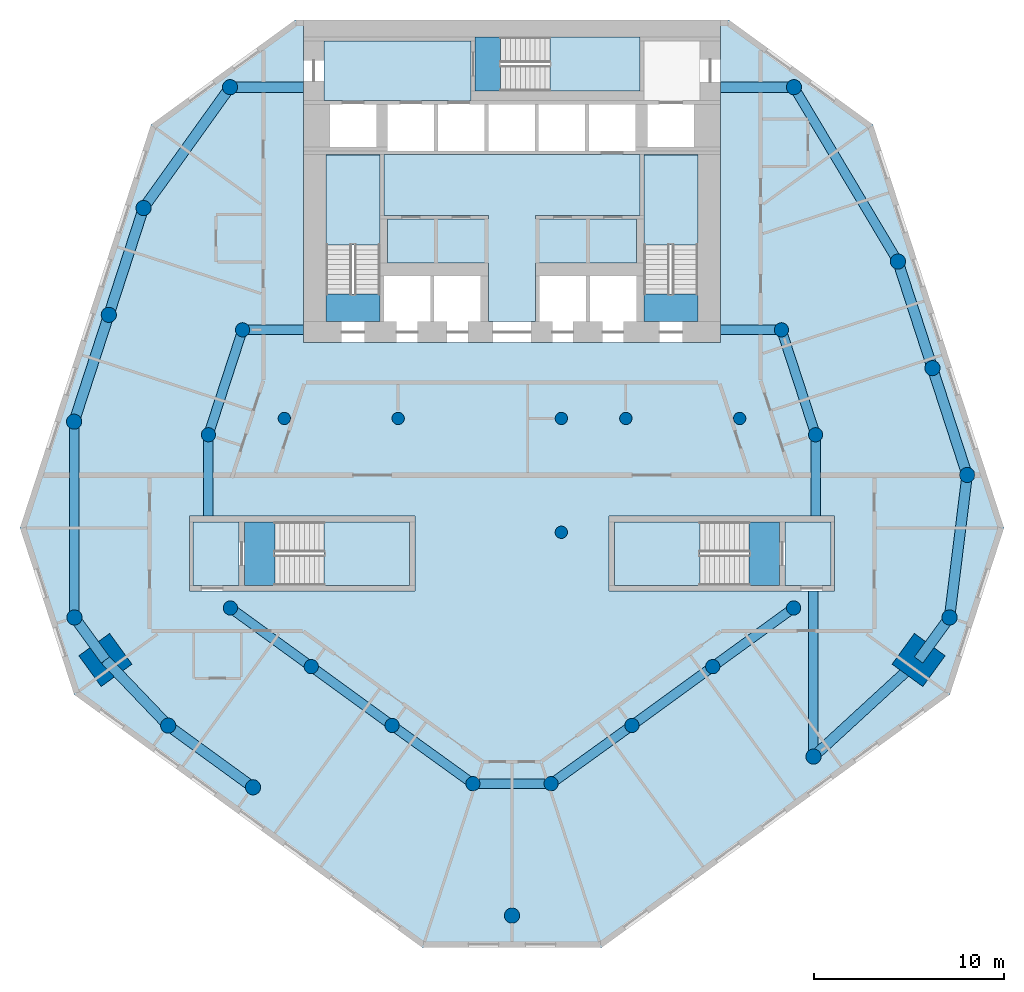
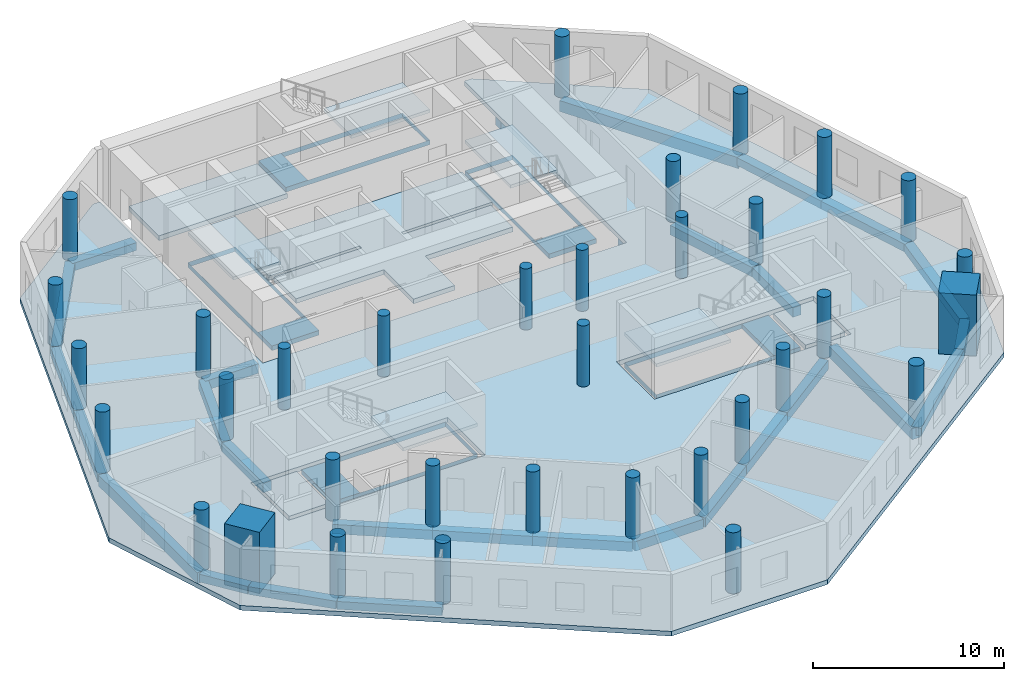
# One storey, part 1 of 9: 34 columns, 29 beams, 15 slabs, 5 elements without a shape of their own.
"""IFC4 building model written with IfcOpenShell, lengths in metres."""

from ifc_helpers import new_model, si_unit, direction, frame, origin, origin_2d, place, context, subcontext, project, spatial, polyline, rectangle, circle, outline, extrude, material, layer, layer_set, material_profile, profile_set, type_object, element, aggregate, save


model = new_model("IFC4")

# Units and contexts
model_context = context("Model", 3, precision=1e-05, world=origin(), true_north=direction((0.0, 1.0)))
body_context = subcontext(model_context, "Body", "Model", "MODEL_VIEW")
ifc_project = project(units=[si_unit("LENGTHUNIT", "METRE"), si_unit("AREAUNIT", "SQUARE_METRE"), si_unit("VOLUMEUNIT", "CUBIC_METRE"), si_unit("PLANEANGLEUNIT", "RADIAN"), si_unit("MASSUNIT", "GRAM", prefix="KILO")], contexts=[model_context])

# Site, building, storey
site_placement = place(None, origin())
site = spatial("IfcSite", under=ifc_project, at=site_placement, CompositionType="ELEMENT")
building_placement = place(site_placement, origin())
building = spatial("IfcBuilding", under=site, at=building_placement, Name="White Candle Pilgrim Tower", CompositionType="ELEMENT")
storey_placement = place(building_placement, frame((0.0, 0.0, 98.60009765625)))
storey = spatial("IfcBuildingStorey", under=building, at=storey_placement, Name="L21", CompositionType="ELEMENT", Elevation=98.60009765625)

# Columns
ifc_material_1 = material(Name="Concrete C80/95", Category="concrete")
ifc_material_profile_1 = material_profile(ifc_material_1, circle(Radius=0.324951171875, at=origin_2d()), Name="RC-COL D650")
ifc_profile_set_1 = profile_set([ifc_material_profile_1], Name="Concrete C80/95")
column_type_1 = type_object("IfcColumnType", Name="Interior column RC-COL D650 C80/95", PredefinedType="COLUMN", material=ifc_profile_set_1)
for number, where, z_axis, x_axis, name in (
    (1, (58.0, 67.0, 0.0), (0.0, 0.0, 1.0), (1.0, 0.0, 0.0), "L21 column I01"),
    (2, (64.0, 67.0, 0.0), (0.0, 0.0, 1.0), (1.0, 0.0, 0.0), "L21 column I02"),
    (3, (72.60009765625, 61.0, 0.0), (0.0, 0.0, 1.0), (1.0, 0.0, 0.0), "L21 column I03"),
    (4, (72.60009765625, 67.0, 0.0), (0.0, 0.0, 1.0), (1.0, 0.0, 0.0), "L21 column I04"),
    (5, (76.0, 67.0, 0.0), (0.0, 0.0, 1.0), (1.0, 0.0, 0.0), "L21 column I05"),
    (6, (82.0, 67.0, 0.0), (0.0, 0.0, 1.0), (1.0, 0.0, 0.0), "L21 column I06"),
):
    element("IfcColumn", number, at=place(storey_placement, frame(where, z_axis=z_axis, x_axis=x_axis)), inside=storey, type_object=column_type_1, Name=name, PredefinedType="COLUMN", context=body_context, shape_type="SweptSolid", body=[
        extrude(circle(Radius=0.324951171875, at=origin_2d()), origin(), (0.0, 0.0, 1.0), 3.89990234375),
    ])
ifc_material_profile_2 = material_profile(ifc_material_1, rectangle(XDim=2.0, YDim=2.0, at=origin_2d()), Name="RC 2000x2000")
ifc_profile_set_2 = profile_set([ifc_material_profile_2], Name="Concrete C80/95")
column_type_2 = type_object("IfcColumnType", Name="Mega column RC 2000x2000 C80/95", PredefinedType="COLUMN", material=ifc_profile_set_2)
for number, where, z_axis, x_axis, name in (
    (7, (48.570068359375, 54.27001953125, 0.0), (0.0, 0.0, 1.0), (-0.809016994375, -0.587785252292, 0.0), "L21 mega column T02"),
    (8, (91.429931640625, 54.27001953125, 0.0), (0.0, 0.0, 1.0), (0.809016994375, -0.587785252292, 0.0), "L21 mega column T07"),
):
    element("IfcColumn", number, at=place(storey_placement, frame(where, z_axis=z_axis, x_axis=x_axis)), inside=storey, type_object=column_type_2, Name=name, PredefinedType="COLUMN", context=body_context, shape_type="SweptSolid", body=[
        extrude(rectangle(XDim=2.0, YDim=2.0, at=origin_2d()), origin(), (0.0, 0.0, 1.0), 3.89990234375),
    ])
ifc_material_profile_3 = material_profile(ifc_material_1, circle(Radius=0.39990234375, at=origin_2d()), Name="RC-COL D800")
ifc_profile_set_3 = profile_set([ifc_material_profile_3], Name="Concrete C80/95")
column_type_3 = type_object("IfcColumnType", Name="Perimeter column RC-COL D800 C80/95", PredefinedType="COLUMN", material=ifc_profile_set_3)
for number, where, z_axis, x_axis, name in (
    (9, (46.93994140625, 56.510009765625, 0.0), (0.0, 0.0, 1.0), (1.0, 0.0, 0.0), "L21 column T01"),
    (10, (51.8798828125, 50.81005859375, 0.0), (0.0, 0.0, 1.0), (1.0, 0.0, 0.0), "L21 column T03"),
    (11, (56.35009765625, 47.56005859375, 0.0), (0.0, 0.0, 1.0), (1.0, 0.0, 0.0), "L21 column T04"),
    (12, (70.0, 40.800048828125, 0.0), (0.0, 0.0, 1.0), (1.0, 0.0, 0.0), "L21 column T05"),
    (13, (85.889892578125, 49.179931640625, 0.0), (0.0, 0.0, 1.0), (1.0, 0.0, 0.0), "L21 column T06"),
    (14, (93.06005859375, 56.510009765625, 0.0), (0.0, 0.0, 1.0), (1.0, 0.0, 0.0), "L21 column T08"),
    (15, (93.989990234375, 64.02001953125, 0.0), (0.0, 0.0, 1.0), (1.0, 0.0, 0.0), "L21 column T09"),
    (16, (92.159912109375, 69.64990234375, 0.0), (0.0, 0.0, 1.0), (1.0, 0.0, 0.0), "L21 column T10"),
    (17, (90.340087890625, 75.27001953125, 0.0), (0.0, 0.0, 1.0), (1.0, 0.0, 0.0), "L21 column T11"),
    (18, (84.860107421875, 84.4599609375, 0.0), (0.0, 0.0, 1.0), (1.0, 0.0, 0.0), "L21 column T12"),
    (19, (55.139892578125, 84.4599609375, 0.0), (0.0, 0.0, 1.0), (1.0, 0.0, 0.0), "L21 column T13"),
    (20, (50.580078125, 78.090087890625, 0.0), (0.0, 0.0, 1.0), (1.0, 0.0, 0.0), "L21 column T14"),
    (21, (48.75, 72.4599609375, 0.0), (0.0, 0.0, 1.0), (1.0, 0.0, 0.0), "L21 column T15"),
    (22, (46.919921875, 66.830078125, 0.0), (0.0, 0.0, 1.0), (1.0, 0.0, 0.0), "L21 column T16"),
):
    element("IfcColumn", number, at=place(storey_placement, frame(where, z_axis=z_axis, x_axis=x_axis)), inside=storey, type_object=column_type_3, Name=name, PredefinedType="COLUMN", context=body_context, shape_type="SweptSolid", body=[
        extrude(circle(Radius=0.39990234375, at=origin_2d()), origin(), (0.0, 0.0, 1.0), 3.89990234375),
    ])
ifc_material_profile_4 = material_profile(ifc_material_1, circle(Radius=0.375, at=origin_2d()), Name="RC-COL D750")
ifc_profile_set_4 = profile_set([ifc_material_profile_4], Name="Concrete C80/95")
column_type_4 = type_object("IfcColumnType", Name="Ring column RC-COL D750 C80/95", PredefinedType="COLUMN", material=ifc_profile_set_4)
for number, where, z_axis, x_axis, name in (
    (23, (55.159912109375, 57.010009765625, 0.0), (0.0, 0.0, 1.0), (1.0, 0.0, 0.0), "L21 column R01"),
    (24, (59.419921875, 53.919921875, 0.0), (0.0, 0.0, 1.0), (1.0, 0.0, 0.0), "L21 column R02"),
    (25, (63.679931640625, 50.820068359375, 0.0), (0.0, 0.0, 1.0), (1.0, 0.0, 0.0), "L21 column R03"),
    (26, (67.93994140625, 47.75, 0.0), (0.0, 0.0, 1.0), (1.0, 0.0, 0.0), "L21 column R04"),
    (27, (72.06005859375, 47.75, 0.0), (0.0, 0.0, 1.0), (1.0, 0.0, 0.0), "L21 column R05"),
    (28, (76.320068359375, 50.820068359375, 0.0), (0.0, 0.0, 1.0), (1.0, 0.0, 0.0), "L21 column R06"),
    (29, (80.580078125, 53.919921875, 0.0), (0.0, 0.0, 1.0), (1.0, 0.0, 0.0), "L21 column R07"),
    (30, (84.840087890625, 57.010009765625, 0.0), (0.0, 0.0, 1.0), (1.0, 0.0, 0.0), "L21 column R08"),
    (31, (86.0, 66.139892578125, 0.0), (0.0, 0.0, 1.0), (1.0, 0.0, 0.0), "L21 column R09"),
    (32, (84.199951171875, 71.669921875, 0.0), (0.0, 0.0, 1.0), (1.0, 0.0, 0.0), "L21 column R10"),
    (33, (55.800048828125, 71.669921875, 0.0), (0.0, 0.0, 1.0), (1.0, 0.0, 0.0), "L21 column R11"),
    (34, (54.0, 66.139892578125, 0.0), (0.0, 0.0, 1.0), (1.0, 0.0, 0.0), "L21 column R12"),
):
    element("IfcColumn", number, at=place(storey_placement, frame(where, z_axis=z_axis, x_axis=x_axis)), inside=storey, type_object=column_type_4, Name=name, PredefinedType="COLUMN", context=body_context, shape_type="SweptSolid", body=[
        extrude(circle(Radius=0.375, at=origin_2d()), origin(), (0.0, 0.0, 1.0), 3.89990234375),
    ])

# Beams
ifc_material_2 = material(Name="Concrete C50/60", Category="concrete")
ifc_material_profile_5 = material_profile(ifc_material_2, rectangle(XDim=0.5, YDim=0.60009765625, at=origin_2d()), Name="RC-BM 500x600")
ifc_profile_set_5 = profile_set([ifc_material_profile_5], Name="Concrete C50/60")
beam_type_1 = type_object("IfcBeamType", Name="Ring beam RC-BM 500x600 C50/60", PredefinedType="BEAM", material=ifc_profile_set_5)
beam_1_placement = place(storey_placement, frame((55.159912109375, 57.010009765625, -0.60009765625), z_axis=(0.809467675096, -0.587164442873, 0.0), x_axis=(0.587164442873, 0.809467675096, 0.0)))
element("IfcBeam", 35, at=beam_1_placement, inside=storey, type_object=beam_type_1, Name="L21 ring beam R01", PredefinedType="BEAM", context=body_context, shape_type="SweptSolid", body=[
    extrude(rectangle(XDim=0.5, YDim=0.60009765625, at=origin_2d()), origin(), (0.0, 0.0, 1.0), 5.2626953125),
])
beam_2_placement = place(storey_placement, frame((59.419921875, 53.919921875, -0.60009765625), z_axis=(0.808585766175, -0.588378329596, 0.0), x_axis=(0.588378329596, 0.808585766175, 0.0)))
element("IfcBeam", 36, at=beam_2_placement, inside=storey, type_object=beam_type_1, Name="L21 ring beam R02", PredefinedType="BEAM", context=body_context, shape_type="SweptSolid", body=[
    extrude(rectangle(XDim=0.5, YDim=0.60009765625, at=origin_2d()), origin(), (0.0, 0.0, 1.0), 5.2685546875),
])
beam_3_placement = place(storey_placement, frame((63.679931640625, 50.820068359375, -0.60009765625), z_axis=(0.811275874346, -0.584663540598, 0.0), x_axis=(0.584663540598, 0.811275874346, 0.0)))
element("IfcBeam", 37, at=beam_3_placement, inside=storey, type_object=beam_type_1, Name="L21 ring beam R03", PredefinedType="BEAM", context=body_context, shape_type="SweptSolid", body=[
    extrude(rectangle(XDim=0.5, YDim=0.60009765625, at=origin_2d()), origin(), (0.0, 0.0, 1.0), 5.2509765625),
])
beam_4_placement = place(storey_placement, frame((67.93994140625, 47.75, -0.60009765625), z_axis=(1.0, 0.0, 0.0), x_axis=(0.0, 1.0, 0.0)))
element("IfcBeam", 38, at=beam_4_placement, inside=storey, type_object=beam_type_1, Name="L21 ring beam R04", PredefinedType="BEAM", context=body_context, shape_type="SweptSolid", body=[
    extrude(rectangle(XDim=0.5, YDim=0.60009765625, at=origin_2d()), origin(), (0.0, 0.0, 1.0), 4.1201171875),
])
beam_5_placement = place(storey_placement, frame((72.06005859375, 47.75, -0.60009765625), z_axis=(0.811275874346, 0.584663540598, 0.0), x_axis=(-0.584663540598, 0.811275874346, 0.0)))
element("IfcBeam", 39, at=beam_5_placement, inside=storey, type_object=beam_type_1, Name="L21 ring beam R05", PredefinedType="BEAM", context=body_context, shape_type="SweptSolid", body=[
    extrude(rectangle(XDim=0.5, YDim=0.60009765625, at=origin_2d()), origin(), (0.0, 0.0, 1.0), 5.2509765625),
])
beam_6_placement = place(storey_placement, frame((76.320068359375, 50.820068359375, -0.60009765625), z_axis=(0.808585766175, 0.588378329596, 0.0), x_axis=(-0.588378329596, 0.808585766175, 0.0)))
element("IfcBeam", 40, at=beam_6_placement, inside=storey, type_object=beam_type_1, Name="L21 ring beam R06", PredefinedType="BEAM", context=body_context, shape_type="SweptSolid", body=[
    extrude(rectangle(XDim=0.5, YDim=0.60009765625, at=origin_2d()), origin(), (0.0, 0.0, 1.0), 5.2685546875),
])
beam_7_placement = place(storey_placement, frame((80.580078125, 53.919921875, -0.60009765625), z_axis=(0.809467675096, 0.587164442873, 0.0), x_axis=(-0.587164442873, 0.809467675096, 0.0)))
element("IfcBeam", 41, at=beam_7_placement, inside=storey, type_object=beam_type_1, Name="L21 ring beam R07", PredefinedType="BEAM", context=body_context, shape_type="SweptSolid", body=[
    extrude(rectangle(XDim=0.5, YDim=0.60009765625, at=origin_2d()), origin(), (0.0, 0.0, 1.0), 5.2626953125),
])
beam_8_placement = place(storey_placement, frame((86.0, 66.139892578125, -0.60009765625), z_axis=(0.0, -1.0, 0.0), x_axis=(1.0, 0.0, 0.0)))
element("IfcBeam", 42, at=beam_8_placement, inside=storey, type_object=beam_type_1, Name="L21 ring beam R08", PredefinedType="BEAM", context=body_context, shape_type="SweptSolid", body=[
    extrude(rectangle(XDim=0.5, YDim=0.60009765625, at=origin_2d()), origin(), (0.0, 0.0, 1.0), 4.289794921875),
])
beam_9_placement = place(storey_placement, frame((86.0, 66.139892578125, -0.60009765625), z_axis=(-0.309519843253, 0.950892983796, 0.0), x_axis=(-0.950892983796, -0.309519843253, 0.0)))
element("IfcBeam", 43, at=beam_9_placement, inside=storey, type_object=beam_type_1, Name="L21 ring beam R09", PredefinedType="BEAM", context=body_context, shape_type="SweptSolid", body=[
    extrude(rectangle(XDim=0.5, YDim=0.60009765625, at=origin_2d()), origin(), (0.0, 0.0, 1.0), 5.815673828125),
])
for number, where, z_axis, x_axis, name in (
    (44, (84.199951171875, 71.669921875, -0.60009765625), (-1.0, 0.0, 0.0), (0.0, -1.0, 0.0), "L21 ring beam R10"),
    (45, (55.800048828125, 71.669921875, -0.60009765625), (1.0, 0.0, 0.0), (0.0, 1.0, 0.0), "L21 ring beam R11"),
):
    element("IfcBeam", number, at=place(storey_placement, frame(where, z_axis=z_axis, x_axis=x_axis)), inside=storey, type_object=beam_type_1, Name=name, PredefinedType="BEAM", context=body_context, shape_type="SweptSolid", body=[
        extrude(rectangle(XDim=0.5, YDim=0.60009765625, at=origin_2d()), origin(), (0.0, 0.0, 1.0), 3.199951171875),
    ])
beam_10_placement = place(storey_placement, frame((55.800048828125, 71.669921875, -0.60009765625), z_axis=(-0.309519843253, -0.950892983796, 0.0), x_axis=(0.950892983796, -0.309519843253, 0.0)))
element("IfcBeam", 46, at=beam_10_placement, inside=storey, type_object=beam_type_1, Name="L21 ring beam R12", PredefinedType="BEAM", context=body_context, shape_type="SweptSolid", body=[
    extrude(rectangle(XDim=0.5, YDim=0.60009765625, at=origin_2d()), origin(), (0.0, 0.0, 1.0), 5.815673828125),
])
beam_11_placement = place(storey_placement, frame((54.0, 66.139892578125, -0.60009765625), z_axis=(0.0, -1.0, 0.0), x_axis=(1.0, 0.0, 0.0)))
element("IfcBeam", 47, at=beam_11_placement, inside=storey, type_object=beam_type_1, Name="L21 ring beam R13", PredefinedType="BEAM", context=body_context, shape_type="SweptSolid", body=[
    extrude(rectangle(XDim=0.5, YDim=0.60009765625, at=origin_2d()), origin(), (0.0, 0.0, 1.0), 4.289794921875),
])
ifc_material_profile_6 = material_profile(ifc_material_2, rectangle(XDim=0.5, YDim=0.699951171875, at=origin_2d()), Name="RC-BM 500x700")
ifc_profile_set_6 = profile_set([ifc_material_profile_6], Name="Concrete C50/60")
beam_type_2 = type_object("IfcBeamType", Name="Spandrel beam RC-BM 500x700 C50/60", PredefinedType="BEAM", material=ifc_profile_set_6)
beam_12_placement = place(storey_placement, frame((85.889892578125, 49.179931640625, -0.650146484375), z_axis=(0.0, 1.0, 0.0), x_axis=(-1.0, 0.0, 0.0)))
element("IfcBeam", 48, at=beam_12_placement, inside=storey, type_object=beam_type_2, Name="L21 spandrel beam T04", PredefinedType="BEAM", context=body_context, shape_type="SweptSolid", body=[
    extrude(rectangle(XDim=0.5, YDim=0.699951171875, at=origin_2d()), origin(), (0.0, 0.0, 1.0), 8.719970703125),
])
beam_13_placement = place(storey_placement, frame((90.340087890625, 75.27001953125, -0.650146484375), z_axis=(-0.512158423504, 0.858890999623, 0.0), x_axis=(-0.858890999623, -0.512158423504, 0.0)))
element("IfcBeam", 49, at=beam_13_placement, inside=storey, type_object=beam_type_2, Name="L21 spandrel beam T10", PredefinedType="BEAM", context=body_context, shape_type="SweptSolid", body=[
    extrude(rectangle(XDim=0.5, YDim=0.699951171875, at=origin_2d()), origin(), (0.0, 0.0, 1.0), 10.69970703125),
])
beam_14_placement = place(storey_placement, frame((46.919921875, 66.830078125, -0.650146484375), z_axis=(0.00193986056, -0.999998118469, 0.0), x_axis=(0.999998118469, 0.00193986056, 0.0)))
element("IfcBeam", 50, at=beam_14_placement, inside=storey, type_object=beam_type_2, Name="L21 spandrel beam T16", PredefinedType="BEAM", context=body_context, shape_type="SweptSolid", body=[
    extrude(rectangle(XDim=0.5, YDim=0.699951171875, at=origin_2d()), origin(), (0.0, 0.0, 1.0), 10.320068359375),
])
ifc_material_profile_7 = material_profile(ifc_material_2, rectangle(XDim=0.550048828125, YDim=0.5, at=origin_2d()), Name="RC-BM 550x500")
ifc_profile_set_7 = profile_set([ifc_material_profile_7], Name="Concrete C50/60")
beam_type_3 = type_object("IfcBeamType", Name="Spandrel beam RC-BM 550x500 C50/60", PredefinedType="BEAM", material=ifc_profile_set_7)
beam_15_placement = place(storey_placement, frame((46.93994140625, 56.510009765625, -0.550048828125), z_axis=(0.588417947117, -0.808556936468, 0.0), x_axis=(0.808556936468, 0.588417947117, 0.0)))
element("IfcBeam", 51, at=beam_15_placement, inside=storey, type_object=beam_type_3, Name="L21 spandrel beam T01", PredefinedType="BEAM", context=body_context, shape_type="SweptSolid", body=[
    extrude(rectangle(XDim=0.550048828125, YDim=0.5, at=origin_2d()), origin(), (0.0, 0.0, 1.0), 2.770263671875),
])
beam_16_placement = place(storey_placement, frame((48.570068359375, 54.27001953125, -0.550048828125), z_axis=(0.691253902959, -0.722611957862, 0.0), x_axis=(0.722611957862, 0.691253902959, 0.0)))
element("IfcBeam", 52, at=beam_16_placement, inside=storey, type_object=beam_type_3, Name="L21 spandrel beam T02", PredefinedType="BEAM", context=body_context, shape_type="SweptSolid", body=[
    extrude(rectangle(XDim=0.550048828125, YDim=0.5, at=origin_2d()), origin(), (0.0, 0.0, 1.0), 4.7880859375),
])
beam_17_placement = place(storey_placement, frame((51.8798828125, 50.81005859375, -0.550048828125), z_axis=(0.80882776558, -0.58804561526, 0.0), x_axis=(0.58804561526, 0.80882776558, 0.0)))
element("IfcBeam", 53, at=beam_17_placement, inside=storey, type_object=beam_type_3, Name="L21 spandrel beam T03", PredefinedType="BEAM", context=body_context, shape_type="SweptSolid", body=[
    extrude(rectangle(XDim=0.550048828125, YDim=0.5, at=origin_2d()), origin(), (0.0, 0.0, 1.0), 5.52685546875),
])
beam_18_placement = place(storey_placement, frame((85.889892578125, 49.179931640625, -0.550048828125), z_axis=(0.736377769558, 0.676570602746, 0.0), x_axis=(-0.676570602746, 0.736377769558, 0.0)))
element("IfcBeam", 54, at=beam_18_placement, inside=storey, type_object=beam_type_3, Name="L21 spandrel beam T05", PredefinedType="BEAM", context=body_context, shape_type="SweptSolid", body=[
    extrude(rectangle(XDim=0.550048828125, YDim=0.5, at=origin_2d()), origin(), (0.0, 0.0, 1.0), 7.5234375),
])
beam_19_placement = place(storey_placement, frame((91.429931640625, 54.27001953125, -0.550048828125), z_axis=(0.588417947117, 0.808556936468, 0.0), x_axis=(-0.808556936468, 0.588417947117, 0.0)))
element("IfcBeam", 55, at=beam_19_placement, inside=storey, type_object=beam_type_3, Name="L21 spandrel beam T06", PredefinedType="BEAM", context=body_context, shape_type="SweptSolid", body=[
    extrude(rectangle(XDim=0.550048828125, YDim=0.5, at=origin_2d()), origin(), (0.0, 0.0, 1.0), 2.770263671875),
])
beam_20_placement = place(storey_placement, frame((93.06005859375, 56.510009765625, -0.550048828125), z_axis=(0.122887106398, 0.992420656315, 0.0), x_axis=(-0.992420656315, 0.122887106398, 0.0)))
element("IfcBeam", 56, at=beam_20_placement, inside=storey, type_object=beam_type_3, Name="L21 spandrel beam T07", PredefinedType="BEAM", context=body_context, shape_type="SweptSolid", body=[
    extrude(rectangle(XDim=0.550048828125, YDim=0.5, at=origin_2d()), origin(), (0.0, 0.0, 1.0), 7.5673828125),
])
beam_21_placement = place(storey_placement, frame((93.989990234375, 64.02001953125, -0.550048828125), z_axis=(-0.309142023321, 0.951015882842, 0.0), x_axis=(-0.951015882842, -0.309142023321, 0.0)))
element("IfcBeam", 57, at=beam_21_placement, inside=storey, type_object=beam_type_3, Name="L21 spandrel beam T08", PredefinedType="BEAM", context=body_context, shape_type="SweptSolid", body=[
    extrude(rectangle(XDim=0.550048828125, YDim=0.5, at=origin_2d()), origin(), (0.0, 0.0, 1.0), 5.919921875),
])
beam_22_placement = place(storey_placement, frame((92.159912109375, 69.64990234375, -0.550048828125), z_axis=(-0.308057951523, 0.951367593784, 0.0), x_axis=(-0.951367593784, -0.308057951523, 0.0)))
element("IfcBeam", 58, at=beam_22_placement, inside=storey, type_object=beam_type_3, Name="L21 spandrel beam T09", PredefinedType="BEAM", context=body_context, shape_type="SweptSolid", body=[
    extrude(rectangle(XDim=0.550048828125, YDim=0.5, at=origin_2d()), origin(), (0.0, 0.0, 1.0), 5.907470703125),
])
for number, where, z_axis, x_axis, name in (
    (59, (84.860107421875, 84.4599609375, -0.550048828125), (-1.0, 0.0, 0.0), (0.0, -1.0, 0.0), "L21 spandrel beam T11"),
    (60, (55.139892578125, 84.4599609375, -0.550048828125), (1.0, 0.0, 0.0), (0.0, 1.0, 0.0), "L21 spandrel beam T12"),
):
    element("IfcBeam", number, at=place(storey_placement, frame(where, z_axis=z_axis, x_axis=x_axis)), inside=storey, type_object=beam_type_3, Name=name, PredefinedType="BEAM", context=body_context, shape_type="SweptSolid", body=[
        extrude(rectangle(XDim=0.550048828125, YDim=0.5, at=origin_2d()), origin(), (0.0, 0.0, 1.0), 3.860107421875),
    ])
beam_23_placement = place(storey_placement, frame((55.139892578125, 84.4599609375, -0.550048828125), z_axis=(-0.582075138826, -0.813135002789, 0.0), x_axis=(0.813135002789, -0.582075138826, 0.0)))
element("IfcBeam", 61, at=beam_23_placement, inside=storey, type_object=beam_type_3, Name="L21 spandrel beam T13", PredefinedType="BEAM", context=body_context, shape_type="SweptSolid", body=[
    extrude(rectangle(XDim=0.550048828125, YDim=0.5, at=origin_2d()), origin(), (0.0, 0.0, 1.0), 7.833740234375),
])
beam_24_placement = place(storey_placement, frame((50.580078125, 78.090087890625, -0.550048828125), z_axis=(-0.30912989898, -0.951019823956, 0.0), x_axis=(0.951019823956, -0.30912989898, 0.0)))
element("IfcBeam", 62, at=beam_24_placement, inside=storey, type_object=beam_type_3, Name="L21 spandrel beam T14", PredefinedType="BEAM", context=body_context, shape_type="SweptSolid", body=[
    extrude(rectangle(XDim=0.550048828125, YDim=0.5, at=origin_2d()), origin(), (0.0, 0.0, 1.0), 5.920166015625),
])
beam_25_placement = place(storey_placement, frame((48.75, 72.4599609375, -0.550048828125), z_axis=(-0.309142023321, -0.951015882842, 0.0), x_axis=(0.951015882842, -0.309142023321, 0.0)))
element("IfcBeam", 63, at=beam_25_placement, inside=storey, type_object=beam_type_3, Name="L21 spandrel beam T15", PredefinedType="BEAM", context=body_context, shape_type="SweptSolid", body=[
    extrude(rectangle(XDim=0.550048828125, YDim=0.5, at=origin_2d()), origin(), (0.0, 0.0, 1.0), 5.919921875),
])

# Slabs
ifc_material_3 = material(Name="Concrete C40/50", Category="concrete")
ifc_layer_1 = layer(ifc_material_3, 0.300048828125)
ifc_layer_set_1 = layer_set([ifc_layer_1], Name="Core floor slab 300 mm Concrete C40/50")
slab_type_1 = type_object("IfcSlabType", Name="Core floor slab 300 mm Concrete C40/50", PredefinedType="FLOOR", material=ifc_layer_set_1)
slab_1_placement = place(storey_placement, frame((0.0, 0.0, -0.300048828125)))
element("IfcSlab", 64, at=slab_1_placement, inside=storey, type_object=slab_type_1, Name="CF-L21-01", PredefinedType="FLOOR", context=body_context, shape_type="SweptSolid", body=[
    extrude(outline(polyline([(55.60009765625, 58.199951171875), (53.199951171875, 58.199951171875), (53.199951171875, 61.550048828125), (55.60009765625, 61.550048828125), (55.60009765625, 58.199951171875)])), origin(), (0.0, 0.0, 1.0), 0.300048828125),
])
slab_2_placement = place(storey_placement, frame((0.0, 0.0, -0.300048828125)))
element("IfcSlab", 65, at=slab_2_placement, inside=storey, type_object=slab_type_1, Name="CF-L21-02", PredefinedType="FLOOR", context=body_context, shape_type="SweptSolid", body=[
    extrude(outline(polyline([(55.89990234375, 58.199951171875), (55.89990234375, 61.550048828125), (64.60009765625, 61.550048828125), (64.60009765625, 58.199951171875), (55.89990234375, 58.199951171875)]), holes=[polyline([(57.501953125, 61.548095703125), (57.501953125, 58.201904296875), (64.597900390625, 58.201904296875), (64.597900390625, 61.548095703125), (57.501953125, 61.548095703125)])]), origin(), (0.0, 0.0, 1.0), 0.300048828125),
])
slab_3_placement = place(storey_placement, frame((0.0, 0.0, -0.300048828125)))
element("IfcSlab", 66, at=slab_3_placement, inside=storey, type_object=slab_type_1, Name="CF-L21-03", PredefinedType="FLOOR", context=body_context, shape_type="SweptSolid", body=[
    extrude(outline(polyline([(75.39990234375, 58.199951171875), (75.39990234375, 61.550048828125), (84.10009765625, 61.550048828125), (84.10009765625, 58.199951171875), (75.39990234375, 58.199951171875)]), holes=[polyline([(82.498046875, 58.201904296875), (82.498046875, 61.548095703125), (75.402099609375, 61.548095703125), (75.402099609375, 58.201904296875), (82.498046875, 58.201904296875)])]), origin(), (0.0, 0.0, 1.0), 0.300048828125),
])
slab_4_placement = place(storey_placement, frame((0.0, 0.0, -0.300048828125)))
element("IfcSlab", 67, at=slab_4_placement, inside=storey, type_object=slab_type_1, Name="CF-L21-04", PredefinedType="FLOOR", context=body_context, shape_type="SweptSolid", body=[
    extrude(outline(polyline([(86.800048828125, 58.199951171875), (84.39990234375, 58.199951171875), (84.39990234375, 61.550048828125), (86.800048828125, 61.550048828125), (86.800048828125, 58.199951171875)])), origin(), (0.0, 0.0, 1.0), 0.300048828125),
])
slab_5_placement = place(storey_placement, frame((0.0, 0.0, -0.300048828125)))
element("IfcSlab", 68, at=slab_5_placement, inside=storey, type_object=slab_type_1, Name="CF-L21-05", PredefinedType="FLOOR", context=body_context, shape_type="SweptSolid", body=[
    extrude(outline(polyline([(76.75, 87.10009765625), (76.75, 86.89990234375), (76.75, 84.25), (68.050048828125, 84.25), (68.050048828125, 86.89990234375), (68.050048828125, 87.10009765625), (76.75, 87.10009765625)]), holes=[polyline([(69.402099609375, 87.097900390625), (69.402099609375, 84.251953125), (76.748046875, 84.251953125), (76.748046875, 87.097900390625), (69.402099609375, 87.097900390625)])]), origin(), (0.0, 0.0, 1.0), 0.300048828125),
])
slab_6_placement = place(storey_placement, frame((0.0, 0.0, -0.300048828125)))
element("IfcSlab", 69, at=slab_6_placement, inside=storey, type_object=slab_type_1, Name="CF-L21-07", PredefinedType="FLOOR", context=body_context, shape_type="SweptSolid", body=[
    extrude(outline(polyline([(76.949951171875, 72.10009765625), (76.949951171875, 74.5), (76.949951171875, 75.199951171875), (76.949951171875, 77.5), (76.949951171875, 77.699951171875), (76.949951171875, 80.89990234375), (79.800048828125, 80.89990234375), (79.800048828125, 72.10009765625), (76.949951171875, 72.10009765625)]), holes=[polyline([(76.951904296875, 73.552001953125), (79.798095703125, 73.552001953125), (79.798095703125, 80.89794921875), (76.951904296875, 80.89794921875), (76.951904296875, 73.552001953125)])]), origin(), (0.0, 0.0, 1.0), 0.300048828125),
])
slab_7_placement = place(storey_placement, frame((0.0, 0.0, -0.300048828125)))
element("IfcSlab", 70, at=slab_7_placement, inside=storey, type_object=slab_type_1, Name="CF-L21-08", PredefinedType="FLOOR", context=body_context, shape_type="SweptSolid", body=[
    extrude(outline(polyline([(68.75, 72.10009765625), (68.75, 74.5), (68.75, 75.199951171875), (63.449951171875, 75.199951171875), (63.449951171875, 77.5), (68.75, 77.5), (68.75, 77.699951171875), (63.25, 77.699951171875), (63.25, 80.89990234375), (76.75, 80.89990234375), (76.75, 77.699951171875), (71.25, 77.699951171875), (71.25, 77.5), (76.550048828125, 77.5), (76.550048828125, 75.199951171875), (71.25, 75.199951171875), (71.25, 74.5), (71.25, 72.10009765625), (68.75, 72.10009765625)])), origin(), (0.0, 0.0, 1.0), 0.300048828125),
])
slab_8_placement = place(storey_placement, frame((0.0, 0.0, -0.300048828125)))
element("IfcSlab", 71, at=slab_8_placement, inside=storey, type_object=slab_type_1, Name="CF-L21-09", PredefinedType="FLOOR", context=body_context, shape_type="SweptSolid", body=[
    extrude(outline(polyline([(60.199951171875, 72.10009765625), (60.199951171875, 80.89990234375), (63.050048828125, 80.89990234375), (63.050048828125, 77.699951171875), (63.050048828125, 77.5), (63.050048828125, 75.199951171875), (63.050048828125, 74.5), (63.050048828125, 72.10009765625), (60.199951171875, 72.10009765625)]), holes=[polyline([(60.201904296875, 73.552001953125), (63.048095703125, 73.552001953125), (63.048095703125, 80.89794921875), (60.201904296875, 80.89794921875), (60.201904296875, 73.552001953125)])]), origin(), (0.0, 0.0, 1.0), 0.300048828125),
])
slab_9_placement = place(storey_placement, frame((0.0, 0.0, -0.300048828125)))
element("IfcSlab", 72, at=slab_9_placement, inside=storey, type_object=slab_type_1, Name="CF-L21-10", PredefinedType="FLOOR", context=body_context, shape_type="SweptSolid", body=[
    extrude(outline(polyline([(60.10009765625, 86.89990234375), (67.85009765625, 86.89990234375), (67.85009765625, 84.25), (67.85009765625, 83.75), (60.10009765625, 83.75), (60.10009765625, 86.89990234375)])), origin(), (0.0, 0.0, 1.0), 0.300048828125),
])
ifc_layer_2 = layer(ifc_material_3, 0.300048828125)
ifc_layer_set_2 = layer_set([ifc_layer_2], Name="Floor slab 300 REI 240")
slab_type_2 = type_object("IfcSlabType", Name="Floor slab 300 REI 240", PredefinedType="FLOOR", material=ifc_layer_set_2)
slab_10_placement = place(storey_placement, frame((0.0, 0.0, -0.300048828125)))
element("IfcSlab", 73, at=slab_10_placement, inside=storey, type_object=slab_type_2, Name="L21 floor slab", PredefinedType="FLOOR", context=body_context, shape_type="SweptSolid", body=[
    extrude(outline(polyline([(65.285400390625, 39.104248046875), (74.714599609375, 39.104248046875), (93.075927734375, 52.444580078125), (95.9306640625, 61.230712890625), (89.023681640625, 82.48779296875), (81.43701171875, 88.0), (81.0, 88.0), (81.0, 71.0), (59.0, 71.0), (59.0, 88.0), (58.56298828125, 88.0), (50.976318359375, 82.48779296875), (44.0693359375, 61.230712890625), (46.924072265625, 52.444580078125), (65.285400390625, 39.104248046875)]), holes=[polyline([(53.0, 57.89990234375), (53.0, 61.85009765625), (64.89990234375, 61.85009765625), (64.89990234375, 57.89990234375), (53.0, 57.89990234375)]), polyline([(75.10009765625, 57.89990234375), (75.10009765625, 61.85009765625), (87.0, 61.85009765625), (87.0, 57.89990234375), (75.10009765625, 57.89990234375)])]), origin(), (0.0, 0.0, 1.0), 0.300048828125),
])

# Stair, slab
stair_type_1 = type_object("IfcStairType", Name="Exit stair 1 flight width 1350 mm", PredefinedType="HALF_TURN_STAIR", material=ifc_material_3)
stair_1_placement = place(storey_placement, origin())
stair_1 = element("IfcStair", 74, at=stair_1_placement, inside=storey, type_object=stair_type_1, Name="L21 stair 1", PredefinedType="NOTDEFINED")
ifc_layer_3 = layer(ifc_material_3, 0.199951171875)
ifc_layer_set_3 = layer_set([ifc_layer_3], Name="Stair landing Concrete C40/50")
slab_type_3 = type_object("IfcSlabType", Name="Stair landing Concrete C40/50", PredefinedType="LANDING", material=ifc_layer_set_3)
slab_11_placement = place(storey_placement, frame((0.0, 0.0, 1.75)))
slab_11 = element("IfcSlab", 75, at=slab_11_placement, type_object=slab_type_3, Name="ST1 landing 1", PredefinedType="LANDING", context=body_context, shape_type="SweptSolid", body=[
    extrude(outline(polyline([(63.052001953125, 76.14794921875), (60.197998046875, 76.14794921875), (60.197998046875, 80.902099609375), (63.052001953125, 80.902099609375), (63.052001953125, 76.14794921875)])), origin(), (0.0, 0.0, 1.0), 0.199951171875),
])
aggregate(stair_1, [slab_11])

stair_type_2 = type_object("IfcStairType", Name="Exit stair 2 flight width 1350 mm", PredefinedType="HALF_TURN_STAIR", material=ifc_material_3)
stair_2_placement = place(storey_placement, origin())
stair_2 = element("IfcStair", 76, at=stair_2_placement, inside=storey, type_object=stair_type_2, Name="L21 stair 2", PredefinedType="NOTDEFINED")
slab_12_placement = place(storey_placement, frame((0.0, 0.0, 1.75)))
slab_12 = element("IfcSlab", 77, at=slab_12_placement, type_object=slab_type_3, Name="ST2 landing 1", PredefinedType="LANDING", context=body_context, shape_type="SweptSolid", body=[
    extrude(outline(polyline([(79.802001953125, 76.14794921875), (76.947998046875, 76.14794921875), (76.947998046875, 80.902099609375), (79.802001953125, 80.902099609375), (79.802001953125, 76.14794921875)])), origin(), (0.0, 0.0, 1.0), 0.199951171875),
])
aggregate(stair_2, [slab_12])

stair_type_3 = type_object("IfcStairType", Name="Exit stair 3 flight width 1350 mm", PredefinedType="HALF_TURN_STAIR", material=ifc_material_3)
stair_3_placement = place(storey_placement, origin())
stair_3 = element("IfcStair", 78, at=stair_3_placement, inside=storey, type_object=stair_type_3, Name="L21 stair 3", PredefinedType="NOTDEFINED")
slab_13_placement = place(storey_placement, frame((0.0, 0.0, 1.75)))
slab_13 = element("IfcSlab", 79, at=slab_13_placement, type_object=slab_type_3, Name="ST3 landing 1", PredefinedType="LANDING", context=body_context, shape_type="SweptSolid", body=[
    extrude(outline(polyline([(71.998046875, 84.248046875), (71.998046875, 87.10205078125), (76.751953125, 87.10205078125), (76.751953125, 84.248046875), (71.998046875, 84.248046875)])), origin(), (0.0, 0.0, 1.0), 0.199951171875),
])
aggregate(stair_3, [slab_13])

stair_type_4 = type_object("IfcStairType", Name="Exit stair 4 flight width 1600 mm", PredefinedType="HALF_TURN_STAIR", material=ifc_material_3)
stair_4_placement = place(storey_placement, origin())
stair_4 = element("IfcStair", 80, at=stair_4_placement, inside=storey, type_object=stair_type_4, Name="L21 stair 4", PredefinedType="NOTDEFINED")
slab_14_placement = place(storey_placement, frame((0.0, 0.0, 1.75)))
slab_14 = element("IfcSlab", 81, at=slab_14_placement, type_object=slab_type_3, Name="ST4 landing 1", PredefinedType="LANDING", context=body_context, shape_type="SweptSolid", body=[
    extrude(outline(polyline([(79.902099609375, 61.552001953125), (79.902099609375, 58.197998046875), (75.39794921875, 58.197998046875), (75.39794921875, 61.552001953125), (79.902099609375, 61.552001953125)])), origin(), (0.0, 0.0, 1.0), 0.199951171875),
])
aggregate(stair_4, [slab_14])

stair_type_5 = type_object("IfcStairType", Name="Exit stair 5 flight width 1600 mm", PredefinedType="HALF_TURN_STAIR", material=ifc_material_3)
stair_5_placement = place(storey_placement, origin())
stair_5 = element("IfcStair", 82, at=stair_5_placement, inside=storey, type_object=stair_type_5, Name="L21 stair 5", PredefinedType="NOTDEFINED")
slab_15_placement = place(storey_placement, frame((0.0, 0.0, 1.75)))
slab_15 = element("IfcSlab", 83, at=slab_15_placement, type_object=slab_type_3, Name="ST5 landing 1", PredefinedType="LANDING", context=body_context, shape_type="SweptSolid", body=[
    extrude(outline(polyline([(60.097900390625, 58.197998046875), (60.097900390625, 61.552001953125), (64.60205078125, 61.552001953125), (64.60205078125, 58.197998046875), (60.097900390625, 58.197998046875)])), origin(), (0.0, 0.0, 1.0), 0.199951171875),
])
aggregate(stair_5, [slab_15])

save(model, "model.ifc")
